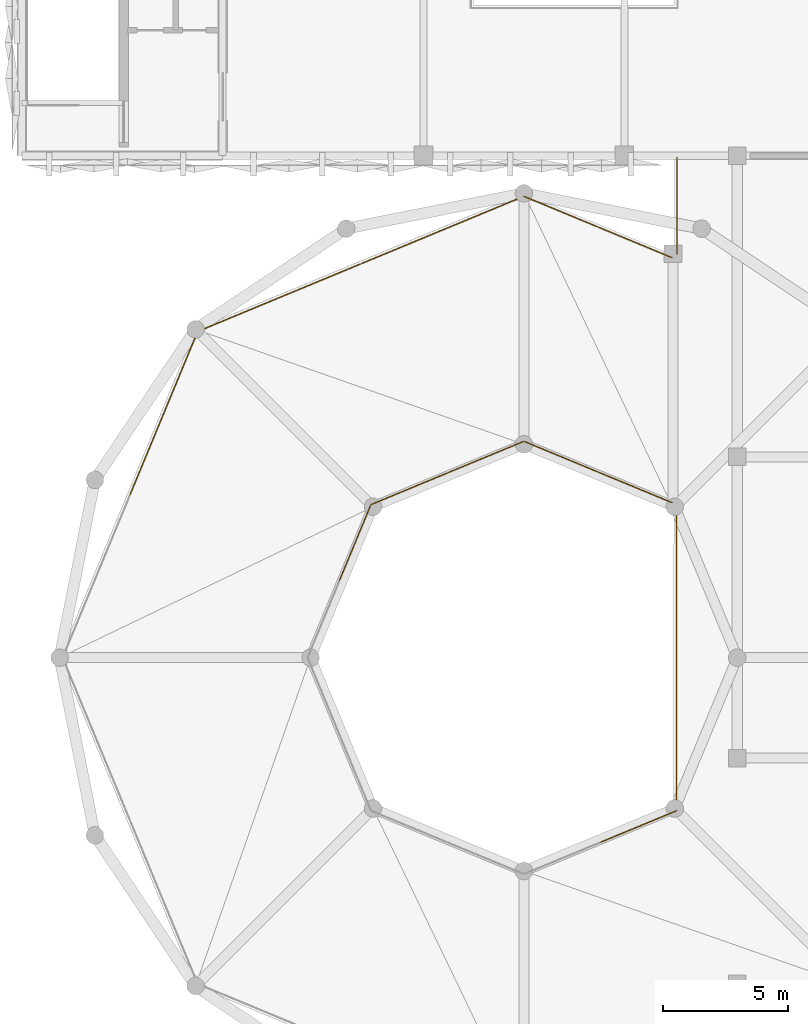
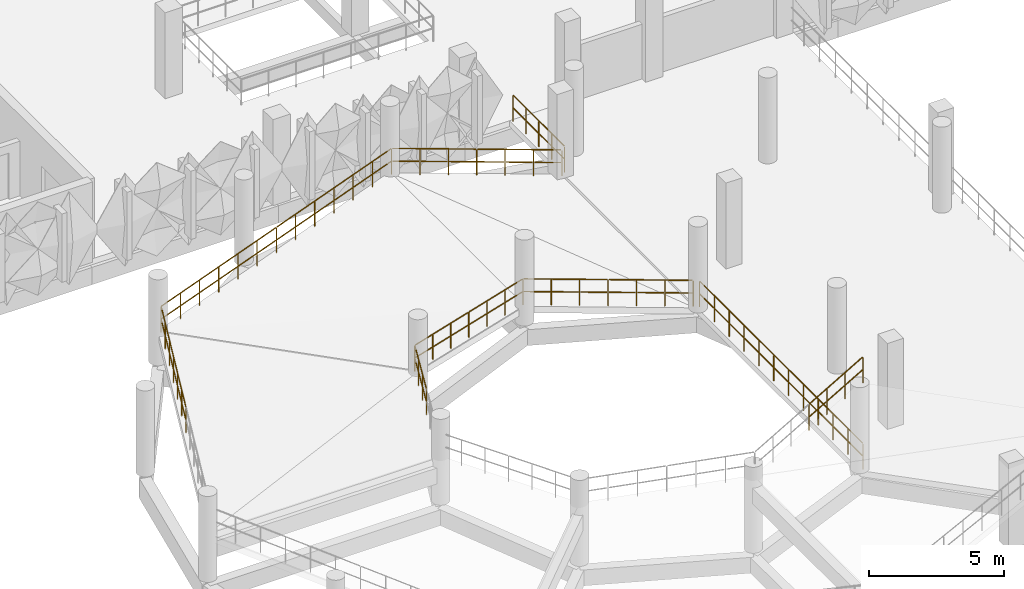
# One storey, part 72 of 83: 13 railings.
"""IFC4 building model written with IfcOpenShell, lengths in metres."""

from ifc_helpers import new_model, si_unit, derived_unit, direction, frame, origin, origin_2d, place, context, subcontext, project, spatial, circle, extrude, material, type_object, element, save


model = new_model("IFC4")

# Units and contexts
model_context = context("Model", 3, precision=1e-05, world=origin(), true_north=direction((0.0, 1.0)))
body_context = subcontext(model_context, "Body", "Model", "MODEL_VIEW")
ifc_project = project(units=[si_unit("LENGTHUNIT", "METRE"), si_unit("AREAUNIT", "SQUARE_METRE"), si_unit("VOLUMEUNIT", "CUBIC_METRE"), si_unit("PLANEANGLEUNIT", "RADIAN"), si_unit("MASSUNIT", "GRAM", prefix="KILO"), si_unit("THERMODYNAMICTEMPERATUREUNIT", "KELVIN"), derived_unit("THERMALTRANSMITTANCEUNIT", [(si_unit("POWERUNIT", "WATT"), 1), (si_unit("AREAUNIT", "SQUARE_METRE"), -1), (si_unit("THERMODYNAMICTEMPERATUREUNIT", "KELVIN"), -1)])], contexts=[model_context])

# Site, building, storey
site_placement = place(None, origin())
site = spatial("IfcSite", under=ifc_project, at=site_placement, CompositionType="ELEMENT")
building_placement = place(site_placement, origin())
building = spatial("IfcBuilding", under=site, at=building_placement, Name="Haiyu Intermodal Mobility Hub", CompositionType="ELEMENT")
storey_placement = place(building_placement, frame((0.0, 0.0, 13.39990234375)))
storey = spatial("IfcBuildingStorey", under=building, at=storey_placement, Name="L03", CompositionType="ELEMENT", Elevation=13.39990234375)

# Railings
ifc_material = material(Name="Steel Q355C", Category="steel")
railing_type = type_object("IfcRailingType", Name="RAL-GR01", PredefinedType="GUARDRAIL", material=ifc_material)
railing_1_placement = place(storey_placement, frame((40.080078125, 53.8798828125, 0.0)))
element("IfcRailing", 1, at=railing_1_placement, inside=storey, type_object=railing_type, Name="L03 Ramp Arrival Deck Inner Drum Guard", PredefinedType="GUARDRAIL", context=body_context, shape_type="SweptSolid", body=[
    extrude(circle(Radius=0.02392578125, at=origin_2d()), frame((0.0, 0.030029296875, 1.17578125), z_axis=(0.0, 1.0, 0.0), x_axis=(-1.0, 0.0, 0.0)), (0.0, 0.0, 1.0), 12.080078125),
    extrude(circle(Radius=0.02392578125, at=origin_2d()), frame((0.0, 0.037353515625, 0.60009765625), z_axis=(0.0, 1.0, 0.0), x_axis=(-1.0, 0.0, 0.0)), (0.0, 0.0, 1.0), 1.029052734375),
    extrude(circle(Radius=0.02392578125, at=origin_2d()), frame((0.0, 1.140869140625, 0.60009765625), z_axis=(0.0, 1.0, 0.0), x_axis=(-1.0, 0.0, 0.0)), (0.0, 0.0, 1.0), 1.029052734375),
    extrude(circle(Radius=0.02392578125, at=origin_2d()), frame((0.0, 2.24462890625, 0.60009765625), z_axis=(0.0, 1.0, 0.0), x_axis=(-1.0, 0.0, 0.0)), (0.0, 0.0, 1.0), 1.029052734375),
    extrude(circle(Radius=0.02392578125, at=origin_2d()), frame((0.0, 3.34814453125, 0.60009765625), z_axis=(0.0, 1.0, 0.0), x_axis=(-1.0, 0.0, 0.0)), (0.0, 0.0, 1.0), 1.029052734375),
    extrude(circle(Radius=0.02392578125, at=origin_2d()), frame((0.0, 4.451904296875, 0.60009765625), z_axis=(0.0, 1.0, 0.0), x_axis=(-1.0, 0.0, 0.0)), (0.0, 0.0, 1.0), 1.029052734375),
    extrude(circle(Radius=0.02392578125, at=origin_2d()), frame((0.0, 5.555419921875, 0.60009765625), z_axis=(0.0, 1.0, 0.0), x_axis=(-1.0, 0.0, 0.0)), (0.0, 0.0, 1.0), 1.029052734375),
    extrude(circle(Radius=0.02392578125, at=origin_2d()), frame((0.0, 6.6591796875, 0.60009765625), z_axis=(0.0, 1.0, 0.0), x_axis=(-1.0, 0.0, 0.0)), (0.0, 0.0, 1.0), 1.029052734375),
    extrude(circle(Radius=0.02392578125, at=origin_2d()), frame((0.0, 7.762939453125, 0.60009765625), z_axis=(0.0, 1.0, 0.0), x_axis=(-1.0, 0.0, 0.0)), (0.0, 0.0, 1.0), 1.029052734375),
    extrude(circle(Radius=0.02392578125, at=origin_2d()), frame((0.0, 8.866455078125, 0.60009765625), z_axis=(0.0, 1.0, 0.0), x_axis=(-1.0, 0.0, 0.0)), (0.0, 0.0, 1.0), 1.029052734375),
    extrude(circle(Radius=0.02392578125, at=origin_2d()), frame((0.0, 9.97021484375, 0.60009765625), z_axis=(0.0, 1.0, 0.0), x_axis=(-1.0, 0.0, 0.0)), (0.0, 0.0, 1.0), 1.029052734375),
    extrude(circle(Radius=0.02392578125, at=origin_2d()), frame((0.0, 11.07373046875, 0.60009765625), z_axis=(0.0, 1.0, 0.0), x_axis=(-1.0, 0.0, 0.0)), (0.0, 0.0, 1.0), 1.029052734375),
    extrude(circle(Radius=0.02099609375, at=origin_2d()), origin(), (0.0, 0.0, 1.0), 1.143798828125),
    extrude(circle(Radius=0.02099609375, at=origin_2d()), frame((0.0, 1.103759765625, 0.0)), (0.0, 0.0, 1.0), 1.143798828125),
    extrude(circle(Radius=0.02099609375, at=origin_2d()), frame((0.0, 2.207275390625, 0.0)), (0.0, 0.0, 1.0), 1.143798828125),
    extrude(circle(Radius=0.02099609375, at=origin_2d()), frame((0.0, 3.31103515625, 0.0)), (0.0, 0.0, 1.0), 1.143798828125),
    extrude(circle(Radius=0.02099609375, at=origin_2d()), frame((0.0, 4.41455078125, 0.0)), (0.0, 0.0, 1.0), 1.143798828125),
    extrude(circle(Radius=0.02099609375, at=origin_2d()), frame((0.0, 5.518310546875, 0.0)), (0.0, 0.0, 1.0), 1.143798828125),
    extrude(circle(Radius=0.02099609375, at=origin_2d()), frame((0.0, 6.621826171875, 0.0)), (0.0, 0.0, 1.0), 1.143798828125),
    extrude(circle(Radius=0.02099609375, at=origin_2d()), frame((0.0, 7.7255859375, 0.0)), (0.0, 0.0, 1.0), 1.143798828125),
    extrude(circle(Radius=0.02099609375, at=origin_2d()), frame((0.0, 8.8291015625, 0.0)), (0.0, 0.0, 1.0), 1.143798828125),
    extrude(circle(Radius=0.02099609375, at=origin_2d()), frame((0.0, 9.932861328125, 0.0)), (0.0, 0.0, 1.0), 1.143798828125),
    extrude(circle(Radius=0.02099609375, at=origin_2d()), frame((0.0, 11.036376953125, 0.0)), (0.0, 0.0, 1.0), 1.143798828125),
    extrude(circle(Radius=0.02099609375, at=origin_2d()), frame((0.0, 12.14013671875, 0.0)), (0.0, 0.0, 1.0), 1.143798828125),
])
railing_2_placement = place(storey_placement, frame((40.10009765625, 76.080078125, 0.0)))
element("IfcRailing", 2, at=railing_2_placement, inside=storey, type_object=railing_type, Name="L03 Ramp Arrival Deck North-West Guard", PredefinedType="GUARDRAIL", context=body_context, shape_type="SweptSolid", body=[
    extrude(circle(Radius=0.02392578125, at=origin_2d()), frame((0.0, 0.030029296875, 1.17578125), z_axis=(0.0, 1.0, 0.0), x_axis=(-1.0, 0.0, 0.0)), (0.0, 0.0, 1.0), 3.77978515625),
    extrude(circle(Radius=0.02392578125, at=origin_2d()), frame((0.0, 0.037353515625, 0.60009765625), z_axis=(0.0, 1.0, 0.0), x_axis=(-1.0, 0.0, 0.0)), (0.0, 0.0, 1.0), 0.88525390625),
    extrude(circle(Radius=0.02392578125, at=origin_2d()), frame((0.0, 0.997314453125, 0.60009765625), z_axis=(0.0, 1.0, 0.0), x_axis=(-1.0, 0.0, 0.0)), (0.0, 0.0, 1.0), 0.88525390625),
    extrude(circle(Radius=0.02392578125, at=origin_2d()), frame((0.0, 1.957275390625, 0.60009765625), z_axis=(0.0, 1.0, 0.0), x_axis=(-1.0, 0.0, 0.0)), (0.0, 0.0, 1.0), 0.88525390625),
    extrude(circle(Radius=0.02392578125, at=origin_2d()), frame((0.0, 2.917236328125, 0.60009765625), z_axis=(0.0, 1.0, 0.0), x_axis=(-1.0, 0.0, 0.0)), (0.0, 0.0, 1.0), 0.88525390625),
    extrude(circle(Radius=0.02099609375, at=origin_2d()), origin(), (0.0, 0.0, 1.0), 1.143798828125),
    extrude(circle(Radius=0.02099609375, at=origin_2d()), frame((0.0, 0.9599609375, 0.0)), (0.0, 0.0, 1.0), 1.143798828125),
    extrude(circle(Radius=0.02099609375, at=origin_2d()), frame((0.0, 1.919921875, 0.0)), (0.0, 0.0, 1.0), 1.143798828125),
    extrude(circle(Radius=0.02099609375, at=origin_2d()), frame((0.0, 2.8798828125, 0.0)), (0.0, 0.0, 1.0), 1.143798828125),
    extrude(circle(Radius=0.02099609375, at=origin_2d()), frame((0.0, 3.83984375, 0.0)), (0.0, 0.0, 1.0), 1.143798828125),
])
railing_3_placement = place(storey_placement, frame((39.89990234375, 75.93603515625, 0.0)))
element("IfcRailing", 3, at=railing_3_placement, inside=storey, type_object=railing_type, Name="RAL-VRMP-O-L03-01A", PredefinedType="GUARDRAIL", context=body_context, shape_type="SweptSolid", body=[
    extrude(circle(Radius=0.02392578125, at=origin_2d()), frame((-0.027587890625, 0.011474609375, 1.178955078125), z_axis=(-0.919123419636, 0.380717761754, 0.101321889842), x_axis=(-0.382687186701, -0.923877977405, 0.0)), (0.0, 0.0, 1.0), 3.1494140625),
    extrude(circle(Radius=0.02392578125, at=origin_2d()), frame((-0.0341796875, 0.01416015625, 0.603759765625), z_axis=(-0.919123419636, 0.380717761754, 0.101321889842), x_axis=(-0.382687186701, -0.923877977405, 0.0)), (0.0, 0.0, 1.0), 0.995361328125),
    extrude(circle(Radius=0.02392578125, at=origin_2d()), frame((-1.017578125, 0.42138671875, 0.712158203125), z_axis=(-0.919123419636, 0.380717761754, 0.101321889842), x_axis=(-0.382687186701, -0.923877977405, 0.0)), (0.0, 0.0, 1.0), 0.995361328125),
    extrude(circle(Radius=0.02392578125, at=origin_2d()), frame((-2.0009765625, 0.828857421875, 0.820556640625), z_axis=(-0.919123419636, 0.380717761754, 0.101321889842), x_axis=(-0.382687186701, -0.923877977405, 0.0)), (0.0, 0.0, 1.0), 0.995361328125),
    extrude(circle(Radius=0.02099609375, at=origin_2d()), origin(), (0.0, 0.0, 1.0), 1.143798828125),
    extrude(circle(Radius=0.02099609375, at=origin_2d()), frame((-0.9833984375, 0.4072265625, 0.1083984375)), (0.0, 0.0, 1.0), 1.143798828125),
    extrude(circle(Radius=0.02099609375, at=origin_2d()), frame((-1.966552734375, 0.814697265625, 0.216796875)), (0.0, 0.0, 1.0), 1.143798828125),
    extrude(circle(Radius=0.02099609375, at=origin_2d()), frame((-2.949951171875, 1.221923828125, 0.3251953125)), (0.0, 0.0, 1.0), 1.143798828125),
])
railing_4_placement = place(storey_placement, frame((36.949951171875, 77.157958984375, 0.3251953125)))
element("IfcRailing", 4, at=railing_4_placement, inside=storey, type_object=railing_type, Name="RAL-VRMP-O-L03-01B", PredefinedType="GUARDRAIL", context=body_context, shape_type="SweptSolid", body=[
    extrude(circle(Radius=0.02392578125, at=origin_2d()), frame((-0.027587890625, 0.011474609375, 1.178955078125), z_axis=(-0.91913050102, 0.380720694993, 0.101246602405), x_axis=(-0.382687186701, -0.923877977405, 0.0)), (0.0, 0.0, 1.0), 3.1494140625),
    extrude(circle(Radius=0.02392578125, at=origin_2d()), frame((-0.0341796875, 0.01416015625, 0.603759765625), z_axis=(-0.91913050102, 0.380720694993, 0.101246602405), x_axis=(-0.382687186701, -0.923877977405, 0.0)), (0.0, 0.0, 1.0), 0.995361328125),
    extrude(circle(Radius=0.02392578125, at=origin_2d()), frame((-1.017578125, 0.42138671875, 0.712158203125), z_axis=(-0.91913050102, 0.380720694993, 0.101246602405), x_axis=(-0.382687186701, -0.923877977405, 0.0)), (0.0, 0.0, 1.0), 0.995361328125),
    extrude(circle(Radius=0.02392578125, at=origin_2d()), frame((-2.0009765625, 0.828857421875, 0.8203125), z_axis=(-0.91913050102, 0.380720694993, 0.101246602405), x_axis=(-0.382687186701, -0.923877977405, 0.0)), (0.0, 0.0, 1.0), 0.995361328125),
    extrude(circle(Radius=0.02099609375, at=origin_2d()), origin(), (0.0, 0.0, 1.0), 1.143798828125),
    extrude(circle(Radius=0.02099609375, at=origin_2d()), frame((-0.9833984375, 0.4072265625, 0.1083984375)), (0.0, 0.0, 1.0), 1.143798828125),
    extrude(circle(Radius=0.02099609375, at=origin_2d()), frame((-1.966552734375, 0.814697265625, 0.216552734375)), (0.0, 0.0, 1.0), 1.143798828125),
    extrude(circle(Radius=0.02099609375, at=origin_2d()), frame((-2.949951171875, 1.221923828125, 0.324951171875)), (0.0, 0.0, 1.0), 1.143798828125),
])
railing_5_placement = place(storey_placement, frame((39.89990234375, 66.176025390625, 0.0)))
element("IfcRailing", 5, at=railing_5_placement, inside=storey, type_object=railing_type, Name="RAL-VRMP-I-L03-01A", PredefinedType="GUARDRAIL", context=body_context, shape_type="SweptSolid", body=[
    extrude(circle(Radius=0.02392578125, at=origin_2d()), frame((-0.027587890625, 0.011474609375, 1.178955078125), z_axis=(-0.919123419636, 0.380717761754, 0.101321889842), x_axis=(-0.382687186701, -0.923877977405, 0.0)), (0.0, 0.0, 1.0), 3.1494140625),
    extrude(circle(Radius=0.02392578125, at=origin_2d()), frame((-0.0341796875, 0.01416015625, 0.603759765625), z_axis=(-0.919123419636, 0.380717761754, 0.101321889842), x_axis=(-0.382687186701, -0.923877977405, 0.0)), (0.0, 0.0, 1.0), 0.995361328125),
    extrude(circle(Radius=0.02392578125, at=origin_2d()), frame((-1.017578125, 0.42138671875, 0.712158203125), z_axis=(-0.919123419636, 0.380717761754, 0.101321889842), x_axis=(-0.382687186701, -0.923877977405, 0.0)), (0.0, 0.0, 1.0), 0.995361328125),
    extrude(circle(Radius=0.02392578125, at=origin_2d()), frame((-2.0009765625, 0.828857421875, 0.820556640625), z_axis=(-0.919123419636, 0.380717761754, 0.101321889842), x_axis=(-0.382687186701, -0.923877977405, 0.0)), (0.0, 0.0, 1.0), 0.995361328125),
    extrude(circle(Radius=0.02099609375, at=origin_2d()), origin(), (0.0, 0.0, 1.0), 1.143798828125),
    extrude(circle(Radius=0.02099609375, at=origin_2d()), frame((-0.9833984375, 0.4072265625, 0.1083984375)), (0.0, 0.0, 1.0), 1.143798828125),
    extrude(circle(Radius=0.02099609375, at=origin_2d()), frame((-1.966552734375, 0.814697265625, 0.216796875)), (0.0, 0.0, 1.0), 1.143798828125),
    extrude(circle(Radius=0.02099609375, at=origin_2d()), frame((-2.949951171875, 1.221923828125, 0.3251953125)), (0.0, 0.0, 1.0), 1.143798828125),
])
railing_6_placement = place(storey_placement, frame((36.949951171875, 67.39794921875, 0.3251953125)))
element("IfcRailing", 6, at=railing_6_placement, inside=storey, type_object=railing_type, Name="RAL-VRMP-I-L03-01B", PredefinedType="GUARDRAIL", context=body_context, shape_type="SweptSolid", body=[
    extrude(circle(Radius=0.02392578125, at=origin_2d()), frame((-0.027587890625, 0.011474609375, 1.178955078125), z_axis=(-0.919103880865, 0.380785734305, 0.101243670068), x_axis=(-0.382752447143, -0.923850942634, 0.0)), (0.0, 0.0, 1.0), 3.149658203125),
    extrude(circle(Radius=0.02392578125, at=origin_2d()), frame((-0.0341796875, 0.01416015625, 0.603759765625), z_axis=(-0.919103880865, 0.380785734305, 0.101243670068), x_axis=(-0.382752447143, -0.923850942634, 0.0)), (0.0, 0.0, 1.0), 0.995361328125),
    extrude(circle(Radius=0.02392578125, at=origin_2d()), frame((-1.017578125, 0.421630859375, 0.712158203125), z_axis=(-0.919103880865, 0.380785734305, 0.101243670068), x_axis=(-0.382752447143, -0.923850942634, 0.0)), (0.0, 0.0, 1.0), 0.995361328125),
    extrude(circle(Radius=0.02392578125, at=origin_2d()), frame((-2.0009765625, 0.8291015625, 0.8203125), z_axis=(-0.919103880865, 0.380785734305, 0.101243670068), x_axis=(-0.382752447143, -0.923850942634, 0.0)), (0.0, 0.0, 1.0), 0.995361328125),
    extrude(circle(Radius=0.02099609375, at=origin_2d()), origin(), (0.0, 0.0, 1.0), 1.143798828125),
    extrude(circle(Radius=0.02099609375, at=origin_2d()), frame((-0.9833984375, 0.407470703125, 0.1083984375)), (0.0, 0.0, 1.0), 1.143798828125),
    extrude(circle(Radius=0.02099609375, at=origin_2d()), frame((-1.966552734375, 0.814697265625, 0.216552734375)), (0.0, 0.0, 1.0), 1.143798828125),
    extrude(circle(Radius=0.02099609375, at=origin_2d()), frame((-2.949951171875, 1.22216796875, 0.324951171875)), (0.0, 0.0, 1.0), 1.143798828125),
])
railing_7_placement = place(storey_placement, frame((34.0, 78.3798828125, 0.650146484375)))
element("IfcRailing", 7, at=railing_7_placement, inside=storey, type_object=railing_type, Name="RAL-VRMP-O-L03-02A", PredefinedType="GUARDRAIL", context=body_context, shape_type="SweptSolid", body=[
    extrude(circle(Radius=0.02392578125, at=origin_2d()), frame((-0.027587890625, -0.011474609375, 1.17724609375), z_axis=(-0.922879282684, -0.382313907833, 0.046150898905), x_axis=(0.382721705618, -0.923863678282, 0.0)), (0.0, 0.0, 1.0), 6.98095703125),
    extrude(circle(Radius=0.02392578125, at=origin_2d()), frame((-0.034423828125, -0.01416015625, 0.601806640625), z_axis=(-0.922879282684, -0.382313907833, 0.046150898905), x_axis=(0.382721705618, -0.923863678282, 0.0)), (0.0, 0.0, 1.0), 1.098876953125),
    extrude(circle(Radius=0.02392578125, at=origin_2d()), frame((-1.117431640625, -0.462890625, 0.65576171875), z_axis=(-0.922879282684, -0.382313907833, 0.046150898905), x_axis=(0.382721705618, -0.923863678282, 0.0)), (0.0, 0.0, 1.0), 1.098876953125),
    extrude(circle(Radius=0.02392578125, at=origin_2d()), frame((-2.200439453125, -0.91162109375, 0.7099609375), z_axis=(-0.922879282684, -0.382313907833, 0.046150898905), x_axis=(0.382721705618, -0.923863678282, 0.0)), (0.0, 0.0, 1.0), 1.098876953125),
    extrude(circle(Radius=0.02392578125, at=origin_2d()), frame((-3.283447265625, -1.360107421875, 0.76416015625), z_axis=(-0.922879282684, -0.382313907833, 0.046150898905), x_axis=(0.382721705618, -0.923863678282, 0.0)), (0.0, 0.0, 1.0), 1.098876953125),
    extrude(circle(Radius=0.02392578125, at=origin_2d()), frame((-4.366455078125, -1.808837890625, 0.818359375), z_axis=(-0.922879282684, -0.382313907833, 0.046150898905), x_axis=(0.382721705618, -0.923863678282, 0.0)), (0.0, 0.0, 1.0), 1.098876953125),
    extrude(circle(Radius=0.02392578125, at=origin_2d()), frame((-5.449462890625, -2.257568359375, 0.87255859375), z_axis=(-0.922879282684, -0.382313907833, 0.046150898905), x_axis=(0.382721705618, -0.923863678282, 0.0)), (0.0, 0.0, 1.0), 1.098876953125),
    extrude(circle(Radius=0.02099609375, at=origin_2d()), origin(), (0.0, 0.0, 1.0), 1.143798828125),
    extrude(circle(Radius=0.02099609375, at=origin_2d()), frame((-1.0830078125, -0.44873046875, 0.05419921875)), (0.0, 0.0, 1.0), 1.143798828125),
    extrude(circle(Radius=0.02099609375, at=origin_2d()), frame((-2.166015625, -0.897216796875, 0.1083984375)), (0.0, 0.0, 1.0), 1.143798828125),
    extrude(circle(Radius=0.02099609375, at=origin_2d()), frame((-3.2490234375, -1.345947265625, 0.16259765625)), (0.0, 0.0, 1.0), 1.143798828125),
    extrude(circle(Radius=0.02099609375, at=origin_2d()), frame((-4.33203125, -1.794677734375, 0.216552734375)), (0.0, 0.0, 1.0), 1.143798828125),
    extrude(circle(Radius=0.02099609375, at=origin_2d()), frame((-5.4150390625, -2.2431640625, 0.270751953125)), (0.0, 0.0, 1.0), 1.143798828125),
    extrude(circle(Radius=0.02099609375, at=origin_2d()), frame((-6.498046875, -2.69189453125, 0.324951171875)), (0.0, 0.0, 1.0), 1.143798828125),
])
railing_8_placement = place(storey_placement, frame((27.501953125, 75.68798828125, 0.97509765625)))
element("IfcRailing", 8, at=railing_8_placement, inside=storey, type_object=railing_type, Name="RAL-VRMP-O-L03-02B", PredefinedType="GUARDRAIL", context=body_context, shape_type="SweptSolid", body=[
    extrude(circle(Radius=0.02392578125, at=origin_2d()), frame((-0.027587890625, -0.011474609375, 1.17724609375), z_axis=(-0.922879282684, -0.382313907833, 0.046150898905), x_axis=(0.382721705618, -0.923863678282, 0.0)), (0.0, 0.0, 1.0), 6.98095703125),
    extrude(circle(Radius=0.02392578125, at=origin_2d()), frame((-0.034423828125, -0.01416015625, 0.601806640625), z_axis=(-0.922879282684, -0.382313907833, 0.046150898905), x_axis=(0.382721705618, -0.923863678282, 0.0)), (0.0, 0.0, 1.0), 1.098876953125),
    extrude(circle(Radius=0.02392578125, at=origin_2d()), frame((-1.117431640625, -0.462890625, 0.65576171875), z_axis=(-0.922879282684, -0.382313907833, 0.046150898905), x_axis=(0.382721705618, -0.923863678282, 0.0)), (0.0, 0.0, 1.0), 1.098876953125),
    extrude(circle(Radius=0.02392578125, at=origin_2d()), frame((-2.200439453125, -0.91162109375, 0.7099609375), z_axis=(-0.922879282684, -0.382313907833, 0.046150898905), x_axis=(0.382721705618, -0.923863678282, 0.0)), (0.0, 0.0, 1.0), 1.098876953125),
    extrude(circle(Radius=0.02392578125, at=origin_2d()), frame((-3.283447265625, -1.360107421875, 0.76416015625), z_axis=(-0.922879282684, -0.382313907833, 0.046150898905), x_axis=(0.382721705618, -0.923863678282, 0.0)), (0.0, 0.0, 1.0), 1.098876953125),
    extrude(circle(Radius=0.02392578125, at=origin_2d()), frame((-4.366455078125, -1.808837890625, 0.818359375), z_axis=(-0.922879282684, -0.382313907833, 0.046150898905), x_axis=(0.382721705618, -0.923863678282, 0.0)), (0.0, 0.0, 1.0), 1.098876953125),
    extrude(circle(Radius=0.02392578125, at=origin_2d()), frame((-5.449462890625, -2.257568359375, 0.87255859375), z_axis=(-0.922879282684, -0.382313907833, 0.046150898905), x_axis=(0.382721705618, -0.923863678282, 0.0)), (0.0, 0.0, 1.0), 1.098876953125),
    extrude(circle(Radius=0.02099609375, at=origin_2d()), origin(), (0.0, 0.0, 1.0), 1.143798828125),
    extrude(circle(Radius=0.02099609375, at=origin_2d()), frame((-1.0830078125, -0.44873046875, 0.05419921875)), (0.0, 0.0, 1.0), 1.143798828125),
    extrude(circle(Radius=0.02099609375, at=origin_2d()), frame((-2.166015625, -0.897216796875, 0.1083984375)), (0.0, 0.0, 1.0), 1.143798828125),
    extrude(circle(Radius=0.02099609375, at=origin_2d()), frame((-3.2490234375, -1.345947265625, 0.16259765625)), (0.0, 0.0, 1.0), 1.143798828125),
    extrude(circle(Radius=0.02099609375, at=origin_2d()), frame((-4.33203125, -1.794677734375, 0.216552734375)), (0.0, 0.0, 1.0), 1.143798828125),
    extrude(circle(Radius=0.02099609375, at=origin_2d()), frame((-5.4150390625, -2.2431640625, 0.270751953125)), (0.0, 0.0, 1.0), 1.143798828125),
    extrude(circle(Radius=0.02099609375, at=origin_2d()), frame((-6.498046875, -2.69189453125, 0.324951171875)), (0.0, 0.0, 1.0), 1.143798828125),
])
railing_9_placement = place(storey_placement, frame((34.0, 68.6201171875, 0.650146484375)))
element("IfcRailing", 9, at=railing_9_placement, inside=storey, type_object=railing_type, Name="RAL-VRMP-I-L03-02A", PredefinedType="GUARDRAIL", context=body_context, shape_type="SweptSolid", body=[
    extrude(circle(Radius=0.02392578125, at=origin_2d()), frame((-0.027587890625, -0.011474609375, 1.178955078125), z_axis=(-0.919468217836, -0.380748953641, 0.098022602959), x_axis=(0.382591441855, -0.923917630863, 0.0)), (0.0, 0.0, 1.0), 3.255126953125),
    extrude(circle(Radius=0.02392578125, at=origin_2d()), frame((-0.0341796875, -0.01416015625, 0.603515625), z_axis=(-0.919468217836, -0.380748953641, 0.098022602959), x_axis=(0.382591441855, -0.923917630863, 0.0)), (0.0, 0.0, 1.0), 1.030517578125),
    extrude(circle(Radius=0.02392578125, at=origin_2d()), frame((-1.05029296875, -0.434814453125, 0.7119140625), z_axis=(-0.919468217836, -0.380748953641, 0.098022602959), x_axis=(0.382591441855, -0.923917630863, 0.0)), (0.0, 0.0, 1.0), 1.030517578125),
    extrude(circle(Radius=0.02392578125, at=origin_2d()), frame((-2.06640625, -0.855712890625, 0.8203125), z_axis=(-0.919468217836, -0.380748953641, 0.098022602959), x_axis=(0.382591441855, -0.923917630863, 0.0)), (0.0, 0.0, 1.0), 1.030517578125),
    extrude(circle(Radius=0.02099609375, at=origin_2d()), origin(), (0.0, 0.0, 1.0), 1.143798828125),
    extrude(circle(Radius=0.02099609375, at=origin_2d()), frame((-1.01611328125, -0.420654296875, 0.1083984375)), (0.0, 0.0, 1.0), 1.143798828125),
    extrude(circle(Radius=0.02099609375, at=origin_2d()), frame((-2.031982421875, -0.841552734375, 0.216552734375)), (0.0, 0.0, 1.0), 1.143798828125),
    extrude(circle(Radius=0.02099609375, at=origin_2d()), frame((-3.048095703125, -1.26220703125, 0.324951171875)), (0.0, 0.0, 1.0), 1.143798828125),
])
railing_10_placement = place(storey_placement, frame((30.951904296875, 67.35791015625, 0.97509765625)))
element("IfcRailing", 10, at=railing_10_placement, inside=storey, type_object=railing_type, Name="RAL-VRMP-I-L03-02B", PredefinedType="GUARDRAIL", context=body_context, shape_type="SweptSolid", body=[
    extrude(circle(Radius=0.02392578125, at=origin_2d()), frame((-0.027587890625, -0.011474609375, 1.178955078125), z_axis=(-0.919333861182, -0.381066832043, 0.098047545612), x_axis=(0.382911803909, -0.923784904849, 0.0)), (0.0, 0.0, 1.0), 3.254150390625),
    extrude(circle(Radius=0.02392578125, at=origin_2d()), frame((-0.0341796875, -0.01416015625, 0.603515625), z_axis=(-0.919333861182, -0.381066832043, 0.098047545612), x_axis=(0.382911803909, -0.923784904849, 0.0)), (0.0, 0.0, 1.0), 1.030029296875),
    extrude(circle(Radius=0.02392578125, at=origin_2d()), frame((-1.0498046875, -0.435302734375, 0.7119140625), z_axis=(-0.919333861182, -0.381066832043, 0.098047545612), x_axis=(0.382911803909, -0.923784904849, 0.0)), (0.0, 0.0, 1.0), 1.030029296875),
    extrude(circle(Radius=0.02392578125, at=origin_2d()), frame((-2.0654296875, -0.856201171875, 0.8203125), z_axis=(-0.919333861182, -0.381066832043, 0.098047545612), x_axis=(0.382911803909, -0.923784904849, 0.0)), (0.0, 0.0, 1.0), 1.030029296875),
    extrude(circle(Radius=0.02099609375, at=origin_2d()), origin(), (0.0, 0.0, 1.0), 1.143798828125),
    extrude(circle(Radius=0.02099609375, at=origin_2d()), frame((-1.015625, -0.4208984375, 0.1083984375)), (0.0, 0.0, 1.0), 1.143798828125),
    extrude(circle(Radius=0.02099609375, at=origin_2d()), frame((-2.03125, -0.842041015625, 0.216552734375)), (0.0, 0.0, 1.0), 1.143798828125),
    extrude(circle(Radius=0.02099609375, at=origin_2d()), frame((-3.046875, -1.262939453125, 0.324951171875)), (0.0, 0.0, 1.0), 1.143798828125),
])
railing_11_placement = place(storey_placement, frame((21.00390625, 72.99609375, 1.300048828125)))
element("IfcRailing", 11, at=railing_11_placement, inside=storey, type_object=railing_type, Name="RAL-VRMP-O-L03-03A", PredefinedType="GUARDRAIL", context=body_context, shape_type="SweptSolid", body=[
    extrude(circle(Radius=0.02392578125, at=origin_2d()), frame((-0.011474609375, -0.027587890625, 1.17724609375), z_axis=(-0.382313907833, -0.922879282684, 0.046150898905), x_axis=(0.923863678282, -0.382721705618, 0.0)), (0.0, 0.0, 1.0), 6.98095703125),
    extrude(circle(Radius=0.02392578125, at=origin_2d()), frame((-0.01416015625, -0.034423828125, 0.601806640625), z_axis=(-0.382313907833, -0.922879282684, 0.046150898905), x_axis=(0.923863678282, -0.382721705618, 0.0)), (0.0, 0.0, 1.0), 1.098876953125),
    extrude(circle(Radius=0.02392578125, at=origin_2d()), frame((-0.462890625, -1.117431640625, 0.65576171875), z_axis=(-0.382313907833, -0.922879282684, 0.046150898905), x_axis=(0.923863678282, -0.382721705618, 0.0)), (0.0, 0.0, 1.0), 1.098876953125),
    extrude(circle(Radius=0.02392578125, at=origin_2d()), frame((-0.91162109375, -2.200439453125, 0.7099609375), z_axis=(-0.382313907833, -0.922879282684, 0.046150898905), x_axis=(0.923863678282, -0.382721705618, 0.0)), (0.0, 0.0, 1.0), 1.098876953125),
    extrude(circle(Radius=0.02392578125, at=origin_2d()), frame((-1.360107421875, -3.283447265625, 0.76416015625), z_axis=(-0.382313907833, -0.922879282684, 0.046150898905), x_axis=(0.923863678282, -0.382721705618, 0.0)), (0.0, 0.0, 1.0), 1.098876953125),
    extrude(circle(Radius=0.02392578125, at=origin_2d()), frame((-1.808837890625, -4.366455078125, 0.818359375), z_axis=(-0.382313907833, -0.922879282684, 0.046150898905), x_axis=(0.923863678282, -0.382721705618, 0.0)), (0.0, 0.0, 1.0), 1.098876953125),
    extrude(circle(Radius=0.02392578125, at=origin_2d()), frame((-2.257568359375, -5.449462890625, 0.87255859375), z_axis=(-0.382313907833, -0.922879282684, 0.046150898905), x_axis=(0.923863678282, -0.382721705618, 0.0)), (0.0, 0.0, 1.0), 1.098876953125),
    extrude(circle(Radius=0.02099609375, at=origin_2d()), origin(), (0.0, 0.0, 1.0), 1.143798828125),
    extrude(circle(Radius=0.02099609375, at=origin_2d()), frame((-0.44873046875, -1.0830078125, 0.05419921875)), (0.0, 0.0, 1.0), 1.143798828125),
    extrude(circle(Radius=0.02099609375, at=origin_2d()), frame((-0.897216796875, -2.166015625, 0.1083984375)), (0.0, 0.0, 1.0), 1.143798828125),
    extrude(circle(Radius=0.02099609375, at=origin_2d()), frame((-1.345947265625, -3.2490234375, 0.16259765625)), (0.0, 0.0, 1.0), 1.143798828125),
    extrude(circle(Radius=0.02099609375, at=origin_2d()), frame((-1.794677734375, -4.33203125, 0.216552734375)), (0.0, 0.0, 1.0), 1.143798828125),
    extrude(circle(Radius=0.02099609375, at=origin_2d()), frame((-2.2431640625, -5.4150390625, 0.270751953125)), (0.0, 0.0, 1.0), 1.143798828125),
    extrude(circle(Radius=0.02099609375, at=origin_2d()), frame((-2.69189453125, -6.498046875, 0.324951171875)), (0.0, 0.0, 1.0), 1.143798828125),
])
railing_12_placement = place(storey_placement, frame((27.905029296875, 66.094970703125, 1.300048828125)))
element("IfcRailing", 12, at=railing_12_placement, inside=storey, type_object=railing_type, Name="RAL-VRMP-I-L03-03A", PredefinedType="GUARDRAIL", context=body_context, shape_type="SweptSolid", body=[
    extrude(circle(Radius=0.02392578125, at=origin_2d()), frame((-0.011474609375, -0.027587890625, 1.178955078125), z_axis=(-0.381066832043, -0.919333861182, 0.098047545612), x_axis=(0.923784904849, -0.382911803909, 0.0)), (0.0, 0.0, 1.0), 3.254150390625),
    extrude(circle(Radius=0.02392578125, at=origin_2d()), frame((-0.01416015625, -0.0341796875, 0.603515625), z_axis=(-0.381066832043, -0.919333861182, 0.098047545612), x_axis=(0.923784904849, -0.382911803909, 0.0)), (0.0, 0.0, 1.0), 1.030029296875),
    extrude(circle(Radius=0.02392578125, at=origin_2d()), frame((-0.435302734375, -1.0498046875, 0.7119140625), z_axis=(-0.381066832043, -0.919333861182, 0.098047545612), x_axis=(0.923784904849, -0.382911803909, 0.0)), (0.0, 0.0, 1.0), 1.030029296875),
    extrude(circle(Radius=0.02392578125, at=origin_2d()), frame((-0.856201171875, -2.0654296875, 0.8203125), z_axis=(-0.381066832043, -0.919333861182, 0.098047545612), x_axis=(0.923784904849, -0.382911803909, 0.0)), (0.0, 0.0, 1.0), 1.030029296875),
    extrude(circle(Radius=0.02099609375, at=origin_2d()), origin(), (0.0, 0.0, 1.0), 1.143798828125),
    extrude(circle(Radius=0.02099609375, at=origin_2d()), frame((-0.4208984375, -1.015625, 0.1083984375)), (0.0, 0.0, 1.0), 1.143798828125),
    extrude(circle(Radius=0.02099609375, at=origin_2d()), frame((-0.842041015625, -2.03125, 0.216552734375)), (0.0, 0.0, 1.0), 1.143798828125),
    extrude(circle(Radius=0.02099609375, at=origin_2d()), frame((-1.262939453125, -3.046875, 0.324951171875)), (0.0, 0.0, 1.0), 1.143798828125),
])
railing_13_placement = place(storey_placement, frame((37.048095703125, 52.64208984375, 3.5751953125)))
element("IfcRailing", 13, at=railing_13_placement, inside=storey, type_object=railing_type, Name="RAL-VRMP-I-L03-06B", PredefinedType="GUARDRAIL", context=body_context, shape_type="SweptSolid", body=[
    extrude(circle(Radius=0.02392578125, at=origin_2d()), frame((0.027587890625, 0.011474609375, 1.178955078125), z_axis=(0.919333861182, 0.381066832043, 0.098047545612), x_axis=(-0.382911803909, 0.923784904849, 0.0)), (0.0, 0.0, 1.0), 3.254150390625),
    extrude(circle(Radius=0.02392578125, at=origin_2d()), frame((0.0341796875, 0.01416015625, 0.603515625), z_axis=(0.919333861182, 0.381066832043, 0.098047545612), x_axis=(-0.382911803909, 0.923784904849, 0.0)), (0.0, 0.0, 1.0), 1.030029296875),
    extrude(circle(Radius=0.02392578125, at=origin_2d()), frame((1.0498046875, 0.435302734375, 0.7119140625), z_axis=(0.919333861182, 0.381066832043, 0.098047545612), x_axis=(-0.382911803909, 0.923784904849, 0.0)), (0.0, 0.0, 1.0), 1.030029296875),
    extrude(circle(Radius=0.02392578125, at=origin_2d()), frame((2.0654296875, 0.856201171875, 0.8203125), z_axis=(0.919333861182, 0.381066832043, 0.098047545612), x_axis=(-0.382911803909, 0.923784904849, 0.0)), (0.0, 0.0, 1.0), 1.030029296875),
    extrude(circle(Radius=0.02099609375, at=origin_2d()), origin(), (0.0, 0.0, 1.0), 1.143798828125),
    extrude(circle(Radius=0.02099609375, at=origin_2d()), frame((1.015625, 0.4208984375, 0.1083984375)), (0.0, 0.0, 1.0), 1.143798828125),
    extrude(circle(Radius=0.02099609375, at=origin_2d()), frame((2.03125, 0.842041015625, 0.216552734375)), (0.0, 0.0, 1.0), 1.143798828125),
    extrude(circle(Radius=0.02099609375, at=origin_2d()), frame((3.046875, 1.262939453125, 0.324951171875)), (0.0, 0.0, 1.0), 1.143798828125),
])

save(model, "model.ifc")
